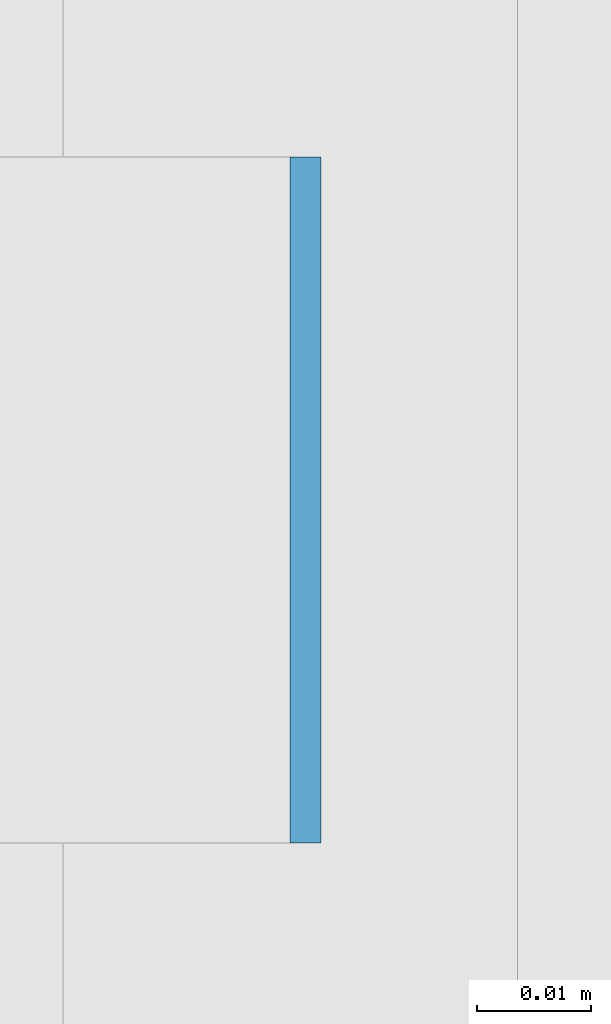
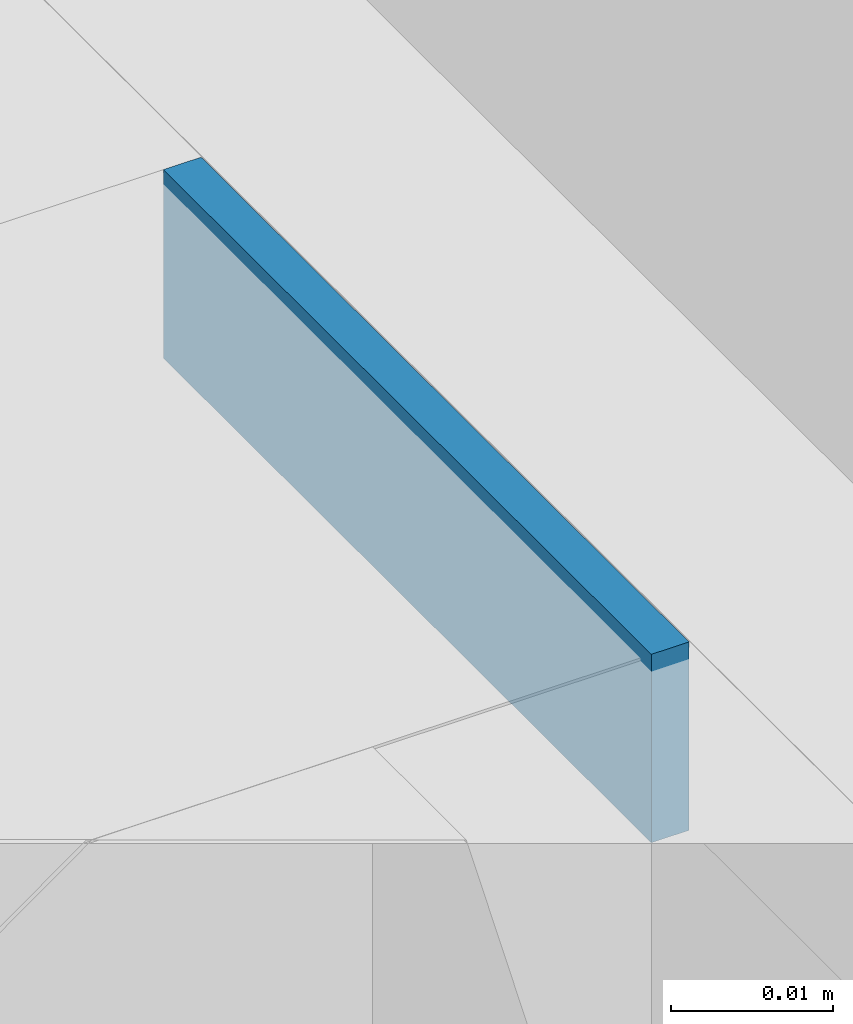
# One storey, part 367 of 646: 1 discrete accessory.
"""IFC4 building model written with IfcOpenShell, lengths in metres."""

from ifc_helpers import new_model, si_unit, direction, frame, origin, origin_2d, place, context, subcontext, project, spatial, rectangle, extrude, material, type_object, element, save


model = new_model("IFC4")

# Units and contexts
model_context = context("Model", 3, precision=1e-05, world=origin(), true_north=direction((0.0, 1.0)))
body_context = subcontext(model_context, "Body", "Model", "MODEL_VIEW")
ifc_project = project(units=[si_unit("LENGTHUNIT", "METRE"), si_unit("AREAUNIT", "SQUARE_METRE"), si_unit("VOLUMEUNIT", "CUBIC_METRE"), si_unit("PLANEANGLEUNIT", "RADIAN"), si_unit("MASSUNIT", "GRAM", prefix="KILO")], contexts=[model_context])

# Site, building, storey
site_placement = place(None, origin())
site = spatial("IfcSite", under=ifc_project, at=site_placement, CompositionType="ELEMENT")
building_placement = place(site_placement, origin())
building = spatial("IfcBuilding", under=site, at=building_placement, Name="Silverbay Arena", CompositionType="ELEMENT")
storey_placement = place(building_placement, frame((0.0, 0.0, 33.5)))
storey = spatial("IfcBuildingStorey", under=building, at=storey_placement, Name="L05", CompositionType="ELEMENT", Elevation=33.5)

# Discrete accessory
ifc_material = material(Name="Steel S355", Category="steel")
discrete_accessory_type = type_object("IfcDiscreteAccessoryType", Name="Steel bracket plate", PredefinedType="BRACKET", material=ifc_material)
discrete_accessory_placement = place(storey_placement, frame((53.871337890625, 100.28564453125, 12.98583984375), z_axis=(0.0, 0.0, 1.0), x_axis=(1.0, 0.0, 0.0)))
element("IfcDiscreteAccessory", 1, at=discrete_accessory_placement, inside=storey, type_object=discrete_accessory_type, Name="Curtain wall packing plate", PredefinedType="BRACKET", context=body_context, shape_type="SweptSolid", body=[
    extrude(rectangle(XDim=0.002685546875, YDim=0.06005859375, at=origin_2d()), origin(), (0.0, 0.0, 1.0), 0.01416015625),
])

save(model, "model.ifc")
